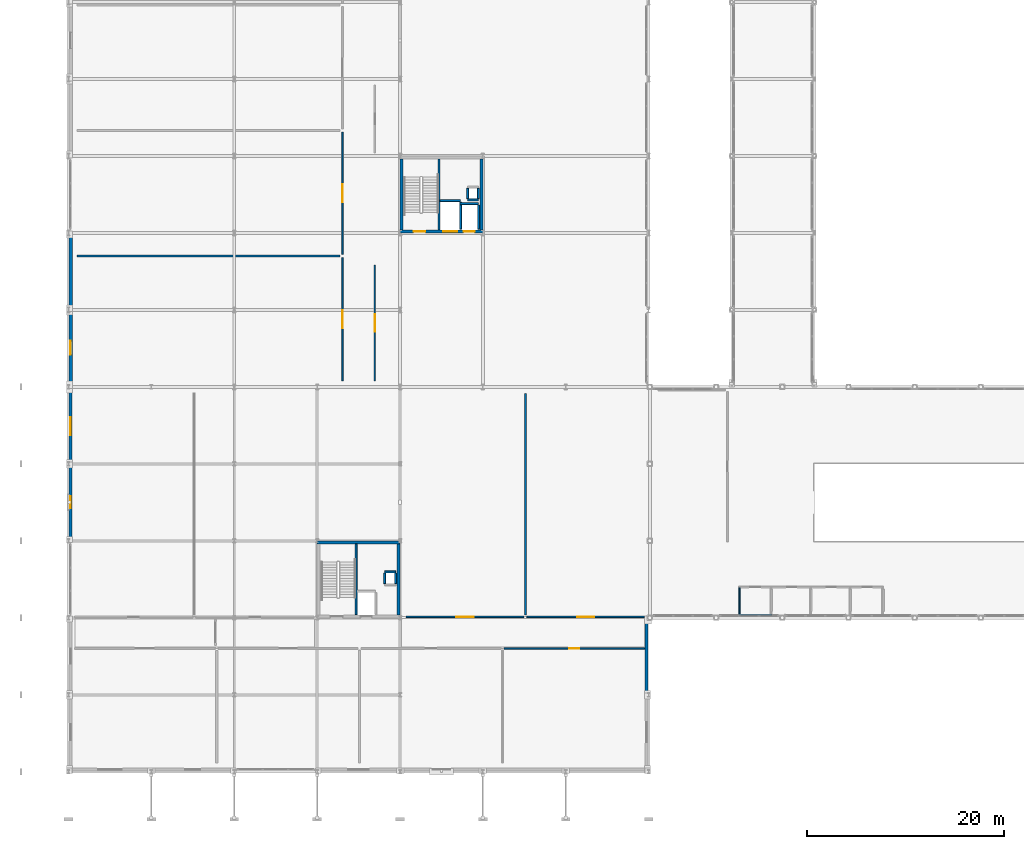
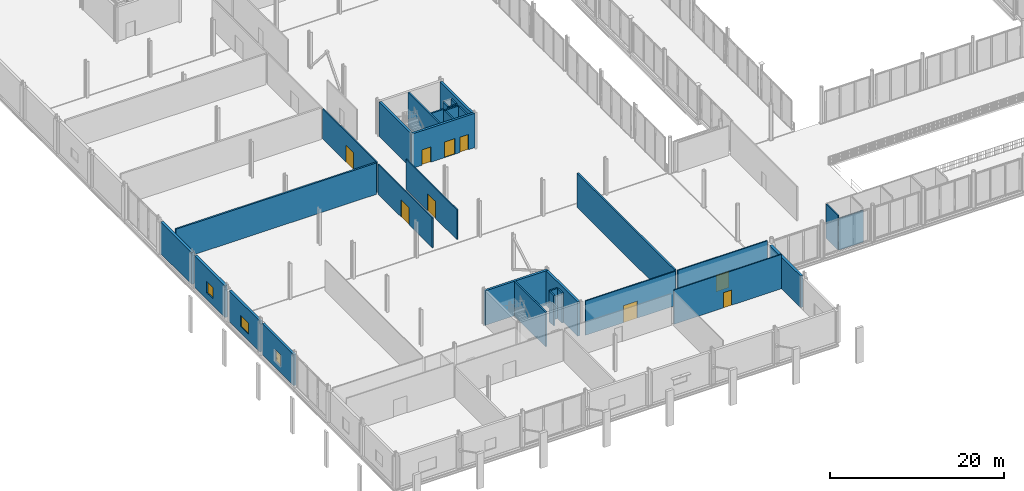
# One storey, part 76 of 105: 32 walls, 9 doors, 3 windows, 12 openings.
"""IFC4 building model written with IfcOpenShell, lengths in metres."""

from ifc_helpers import new_model, si_unit, direction, frame, frame_2d, origin, place, context, subcontext, project, spatial, rectangle, extrude, material, layer, layer_set, type_object, element, fill, save


model = new_model("IFC4")

# Units and contexts
model_context = context("Model", 3, precision=1e-05, world=origin(), true_north=direction((0.0, 1.0)))
body_context = subcontext(model_context, "Body", "Model", "MODEL_VIEW")
ifc_project = project(units=[si_unit("LENGTHUNIT", "METRE"), si_unit("AREAUNIT", "SQUARE_METRE"), si_unit("VOLUMEUNIT", "CUBIC_METRE"), si_unit("PLANEANGLEUNIT", "RADIAN"), si_unit("MASSUNIT", "GRAM", prefix="KILO")], contexts=[model_context])

# Site, building, storey
site_placement = place(None, origin())
site = spatial("IfcSite", under=ifc_project, at=site_placement, CompositionType="ELEMENT")
building_placement = place(site_placement, origin())
building = spatial("IfcBuilding", under=site, at=building_placement, Name="Nabrawat Pavilion Hospital", CompositionType="ELEMENT")
storey_placement = place(building_placement, frame((0.0, 0.0, 5.10009765625)))
storey = spatial("IfcBuildingStorey", under=building, at=storey_placement, Name="L01", CompositionType="ELEMENT", Elevation=5.10009765625)

# Wall, opening, door
ifc_material_1 = material(Name="Gypsum Fireboard on Steel Stud", Category="steel")
ifc_layer_1 = layer(ifc_material_1, 0.14990234375, Name="Gypsum Fireboard on Steel Stud")
ifc_layer_set_1 = layer_set([ifc_layer_1], Name="Gypsum Fireboard on Steel Stud")
wall_type_1 = type_object("IfcWallType", Name="Clinical Corridor Smoke-Barrier Wall 150", PredefinedType="PARTITIONING", material=ifc_layer_set_1)
wall_1_placement = place(storey_placement, frame((44.139892578125, 12.510009765625, 0.0), z_axis=(0.0, 0.0, 1.0), x_axis=(1.0, 0.0, 0.0)))
wall_1 = element("IfcWall", 1, at=wall_1_placement, inside=storey, type_object=wall_type_1, Name="L01 Surgical Scrub and Gowning Room L01-04 Front Partition", PredefinedType="PARTITIONING", context=body_context, shape_type="SweptSolid", body=[
    extrude(rectangle(XDim=14.239990234375, YDim=0.14990234375, at=frame_2d((7.1201171875, 0.0))), origin(), (0.0, 0.0, 1.0), 4.81982421875),
])
opening_1_placement = place(wall_1_placement, frame((6.594970703125, 0.0, 0.0)))
opening_1 = element("IfcOpeningElement", 2, at=opening_1_placement, cuts=wall_1, Name="Opening D-OPC-R", PredefinedType="OPENING", context=body_context, shape_type="SweptSolid", body=[
    extrude(rectangle(XDim=1.050048828125, YDim=2.14990234375, at=frame_2d((0.52490234375, 1.074951171875))), frame((0.0, 0.0849609375, 0.0), z_axis=(0.0, -1.0, 0.0), x_axis=(1.0, 0.0, 0.0)), (0.0, 0.0, 1.0), 0.169921875),
])
ifc_material_2 = material(Name="Stainless-Clad Acoustic Timber and Vision Glass", Category="wood")
door_type_1 = type_object("IfcDoorType", Name="Outpatient Clinic Consultation Door R 1050x2150", OperationType="NOTDEFINED", PredefinedType="DOOR", material=ifc_material_2)
door_1_placement = place(opening_1_placement, origin())
door_1 = element("IfcDoor", 3, at=door_1_placement, inside=storey, type_object=door_type_1, Name="Surgical Scrub and Gowning Room L01-04 Door", OperationType="SINGLE_SWING_LEFT", OverallHeight=2.14990234375, OverallWidth=1.050048828125, PredefinedType="DOOR", context=body_context, shape_type="SweptSolid", body=[
    extrude(rectangle(XDim=1.050048828125, YDim=2.14990234375, at=frame_2d((0.52490234375, 1.074951171875))), frame((0.0, 0.02490234375, 0.0), z_axis=(0.0, -1.0, 0.0), x_axis=(1.0, 0.0, 0.0)), (0.0, 0.0, 1.0), 0.050048828125),
])
fill(opening_1, door_1)

wall_2_placement = place(storey_placement, frame((34.219970703125, 15.68994140625, 0.0), z_axis=(0.0, 0.0, 1.0), x_axis=(1.0, 0.0, 0.0)))
wall_2 = element("IfcWall", 4, at=wall_2_placement, inside=storey, type_object=wall_type_1, Name="L01 Operating Theatre Emergency Trauma L01-07 Front Partition", PredefinedType="PARTITIONING", context=body_context, shape_type="SweptSolid", body=[
    extrude(rectangle(XDim=11.919921875, YDim=0.14990234375, at=frame_2d((5.9599609375, 0.0))), origin(), (0.0, 0.0, 1.0), 4.81982421875),
])
opening_2_placement = place(wall_2_placement, frame((5.06005859375, 0.0, 0.0)))
opening_2 = element("IfcOpeningElement", 5, at=opening_2_placement, cuts=wall_2, Name="Opening D-OR", PredefinedType="OPENING", context=body_context, shape_type="SweptSolid", body=[
    extrude(rectangle(XDim=1.800048828125, YDim=2.39990234375, at=frame_2d((0.89990234375, 1.199951171875))), frame((0.0, 0.0849609375, 0.0), z_axis=(0.0, -1.0, 0.0), x_axis=(1.0, 0.0, 0.0)), (0.0, 0.0, 1.0), 0.169921875),
])
door_type_2 = type_object("IfcDoorType", Name="D-OR Hermetic Operating Theatre Automatic Door 1800x2400", OperationType="DOUBLE_DOOR_SLIDING", PredefinedType="DOOR", material=ifc_material_2)
door_2_placement = place(opening_2_placement, origin())
door_2 = element("IfcDoor", 6, at=door_2_placement, inside=storey, type_object=door_type_2, Name="Operating Theatre Emergency Trauma L01-07 Door", OperationType="DOUBLE_DOOR_SLIDING", OverallHeight=2.39990234375, OverallWidth=1.800048828125, PredefinedType="DOOR", context=body_context, shape_type="SweptSolid", body=[
    extrude(rectangle(XDim=1.800048828125, YDim=2.39990234375, at=frame_2d((0.89990234375, 1.199951171875))), frame((0.0, 0.02490234375, 0.0), z_axis=(0.0, -1.0, 0.0), x_axis=(1.0, 0.0, 0.0)), (0.0, 0.0, 1.0), 0.050048828125),
])
fill(opening_2, door_2)

wall_3_placement = place(storey_placement, frame((46.4599609375, 15.68994140625, 0.0), z_axis=(0.0, 0.0, 1.0), x_axis=(1.0, 0.0, 0.0)))
wall_3 = element("IfcWall", 7, at=wall_3_placement, inside=storey, type_object=wall_type_1, Name="L01 Intensive Care Pod Surgical Trauma L01-08 Front Partition", PredefinedType="PARTITIONING", context=body_context, shape_type="SweptSolid", body=[
    extrude(rectangle(XDim=11.919921875, YDim=0.14990234375, at=frame_2d((5.9599609375, 0.0))), origin(), (0.0, 0.0, 1.0), 4.81982421875),
])
opening_3_placement = place(wall_3_placement, frame((5.110107421875, 0.0, 0.0)))
opening_3 = element("IfcOpeningElement", 8, at=opening_3_placement, cuts=wall_3, Name="Opening D-ICU", PredefinedType="OPENING", context=body_context, shape_type="SweptSolid", body=[
    extrude(rectangle(XDim=1.699951171875, YDim=2.300048828125, at=frame_2d((0.85009765625, 1.14990234375))), frame((0.0, 0.0849609375, 0.0), z_axis=(0.0, -1.0, 0.0), x_axis=(1.0, 0.0, 0.0)), (0.0, 0.0, 1.0), 0.169921875),
])
door_type_3 = type_object("IfcDoorType", Name="Intensive Care Glazed Breakout Door 1700x2300", OperationType="DOUBLE_DOOR_SLIDING", PredefinedType="DOOR", material=ifc_material_2)
door_3_placement = place(opening_3_placement, origin())
door_3 = element("IfcDoor", 9, at=door_3_placement, inside=storey, type_object=door_type_3, Name="Intensive Care Pod Surgical Trauma L01-08 Door", OperationType="DOUBLE_DOOR_SLIDING", OverallHeight=2.300048828125, OverallWidth=1.699951171875, PredefinedType="DOOR", context=body_context, shape_type="SweptSolid", body=[
    extrude(rectangle(XDim=1.699951171875, YDim=2.300048828125, at=frame_2d((0.85009765625, 1.14990234375))), frame((0.0, 0.02490234375, 0.0), z_axis=(0.0, -1.0, 0.0), x_axis=(1.0, 0.0, 0.0)), (0.0, 0.0, 1.0), 0.050048828125),
])
fill(opening_3, door_3)

wall_4_placement = place(storey_placement, frame((27.760009765625, 39.6201171875, 0.0), z_axis=(0.0, 0.0, 1.0), x_axis=(0.0, 1.0, 0.0)))
wall_4 = element("IfcWall", 10, at=wall_4_placement, inside=storey, type_object=wall_type_1, Name="L01 Operating Theatre 1 Hybrid Cardiac L01-01 Front Partition", PredefinedType="PARTITIONING", context=body_context, shape_type="SweptSolid", body=[
    extrude(rectangle(XDim=12.482421875, YDim=0.14990234375, at=frame_2d((6.2412109375, 0.0))), origin(), (0.0, 0.0, 1.0), 4.2099609375),
])
opening_4_placement = place(wall_4_placement, frame((5.34130859375, 0.0, 0.0)))
opening_4 = element("IfcOpeningElement", 11, at=opening_4_placement, cuts=wall_4, Name="Opening D-OR", PredefinedType="OPENING", context=body_context, shape_type="SweptSolid", body=[
    extrude(rectangle(XDim=1.800048828125, YDim=2.39990234375, at=frame_2d((0.89990234375, 1.199951171875))), frame((0.0, 0.0849609375, 0.0), z_axis=(0.0, -1.0, 0.0), x_axis=(1.0, 0.0, 0.0)), (0.0, 0.0, 1.0), 0.169921875),
])
door_4_placement = place(opening_4_placement, origin())
door_4 = element("IfcDoor", 12, at=door_4_placement, inside=storey, type_object=door_type_2, Name="Operating Theatre 1 Hybrid Cardiac L01-01 Door", OperationType="DOUBLE_DOOR_SLIDING", OverallHeight=2.39990234375, OverallWidth=1.800048828125, PredefinedType="DOOR", context=body_context, shape_type="SweptSolid", body=[
    extrude(rectangle(XDim=1.800048828125, YDim=2.39990234375, at=frame_2d((0.89990234375, 1.199951171875))), frame((0.0, 0.02490234375, 0.0), z_axis=(0.0, -1.0, 0.0), x_axis=(1.0, 0.0, 0.0)), (0.0, 0.0, 1.0), 0.050048828125),
])
fill(opening_4, door_4)

wall_5_placement = place(storey_placement, frame((27.760009765625, 52.422607421875, 0.0), z_axis=(0.0, 0.0, 1.0), x_axis=(0.0, 1.0, 0.0)))
wall_5 = element("IfcWall", 13, at=wall_5_placement, inside=storey, type_object=wall_type_1, Name="L01 Operating Theatre 2 Neurosurgery L01-02 Front Partition", PredefinedType="PARTITIONING", context=body_context, shape_type="SweptSolid", body=[
    extrude(rectangle(XDim=12.40234375, YDim=0.14990234375, at=frame_2d((6.201171875, 0.0))), origin(), (0.0, 0.0, 1.0), 4.27001953125),
])
opening_5_placement = place(wall_5_placement, frame((5.30126953125, 0.0, 0.0)))
opening_5 = element("IfcOpeningElement", 14, at=opening_5_placement, cuts=wall_5, Name="Opening D-OR", PredefinedType="OPENING", context=body_context, shape_type="SweptSolid", body=[
    extrude(rectangle(XDim=1.800048828125, YDim=2.39990234375, at=frame_2d((0.89990234375, 1.199951171875))), frame((0.0, 0.0849609375, 0.0), z_axis=(0.0, -1.0, 0.0), x_axis=(1.0, 0.0, 0.0)), (0.0, 0.0, 1.0), 0.169921875),
])
door_5_placement = place(opening_5_placement, origin())
door_5 = element("IfcDoor", 15, at=door_5_placement, inside=storey, type_object=door_type_2, Name="Operating Theatre 2 Neurosurgery L01-02 Door", OperationType="DOUBLE_DOOR_SLIDING", OverallHeight=2.39990234375, OverallWidth=1.800048828125, PredefinedType="DOOR", context=body_context, shape_type="SweptSolid", body=[
    extrude(rectangle(XDim=1.800048828125, YDim=2.39990234375, at=frame_2d((0.89990234375, 1.199951171875))), frame((0.0, 0.02490234375, 0.0), z_axis=(0.0, -1.0, 0.0), x_axis=(1.0, 0.0, 0.0)), (0.0, 0.0, 1.0), 0.050048828125),
])
fill(opening_5, door_5)

wall_6_placement = place(storey_placement, frame((31.0400390625, 39.6201171875, 0.0), z_axis=(0.0, 0.0, 1.0), x_axis=(0.0, 1.0, 0.0)))
wall_6 = element("IfcWall", 16, at=wall_6_placement, inside=storey, type_object=wall_type_1, Name="L01 Operating Theatre 6 Transplant L01-06 Front Partition", PredefinedType="PARTITIONING", context=body_context, shape_type="SweptSolid", body=[
    extrude(rectangle(XDim=11.72998046875, YDim=0.14990234375, at=frame_2d((5.864990234375, 0.0))), origin(), (0.0, 0.0, 1.0), 4.2099609375),
])
opening_6_placement = place(wall_6_placement, frame((4.965087890625, 0.0, 0.0)))
opening_6 = element("IfcOpeningElement", 17, at=opening_6_placement, cuts=wall_6, Name="Opening D-OR", PredefinedType="OPENING", context=body_context, shape_type="SweptSolid", body=[
    extrude(rectangle(XDim=1.800048828125, YDim=2.39990234375, at=frame_2d((0.89990234375, 1.199951171875))), frame((0.0, 0.0849609375, 0.0), z_axis=(0.0, -1.0, 0.0), x_axis=(1.0, 0.0, 0.0)), (0.0, 0.0, 1.0), 0.169921875),
])
door_6_placement = place(opening_6_placement, origin())
door_6 = element("IfcDoor", 18, at=door_6_placement, inside=storey, type_object=door_type_2, Name="Operating Theatre 6 Transplant L01-06 Door", OperationType="DOUBLE_DOOR_SLIDING", OverallHeight=2.39990234375, OverallWidth=1.800048828125, PredefinedType="DOOR", context=body_context, shape_type="SweptSolid", body=[
    extrude(rectangle(XDim=1.800048828125, YDim=2.39990234375, at=frame_2d((0.89990234375, 1.199951171875))), frame((0.0, 0.02490234375, 0.0), z_axis=(0.0, -1.0, 0.0), x_axis=(1.0, 0.0, 0.0)), (0.0, 0.0, 1.0), 0.050048828125),
])
fill(opening_6, door_6)

# Wall, opening, window
ifc_material_3 = material(Name="Precast concrete C40/50", Category="concrete")
ifc_layer_2 = layer(ifc_material_3, 0.320068359375, Name="Precast concrete C40/50")
ifc_layer_set_2 = layer_set([ifc_layer_2], Name="Precast concrete C40/50")
wall_type_2 = type_object("IfcWallType", Name="Deep-Reveal Precast Facade Wall 320", PredefinedType="SOLIDWALL", material=ifc_layer_set_2)
wall_7_placement = place(storey_placement, frame((0.219970703125, 23.64990234375, 0.0), z_axis=(0.0, 0.0, 1.0), x_axis=(0.0, 1.0, 0.0)))
wall_7 = element("IfcWall", 19, at=wall_7_placement, inside=storey, type_object=wall_type_2, Name="L01 Deep-Reveal Precast Facade Wall 320 172", PredefinedType="SOLIDWALL", context=body_context, shape_type="SweptSolid", body=[
    extrude(rectangle(XDim=7.300048828125, YDim=0.320068359375, at=frame_2d((3.64990234375, 0.0))), origin(), (0.0, 0.0, 1.0), 4.329833984375),
])
opening_7_placement = place(wall_7_placement, frame((3.050048828125, 0.0, 0.89990234375)))
opening_7 = element("IfcOpeningElement", 20, at=opening_7_placement, cuts=wall_7, Name="Opening WN-01", PredefinedType="OPENING", context=body_context, shape_type="SweptSolid", body=[
    extrude(rectangle(XDim=1.199951171875, YDim=1.60009765625, at=frame_2d((0.60009765625, 0.800048828125))), frame((0.0, 0.169921875, 0.0), z_axis=(0.0, -1.0, 0.0), x_axis=(1.0, 0.0, 0.0)), (0.0, 0.0, 1.0), 0.340087890625),
])
ifc_material_4 = material(Name="Thermally Broken Aluminium and Solar Glass", Category="aluminium")
window_type_1 = type_object("IfcWindowType", Name="Deep-Reveal Ward Punched Window 1200x1600", PartitioningType="SINGLE_PANEL", PredefinedType="WINDOW", material=ifc_material_4)
window_1_placement = place(opening_7_placement, origin())
window_1 = element("IfcWindow", 21, at=window_1_placement, inside=storey, type_object=window_type_1, Name="L01 Deep-Reveal Ward Punched Window 1200x1600 065", OverallHeight=1.60009765625, OverallWidth=1.199951171875, PartitioningType="SINGLE_PANEL", PredefinedType="WINDOW", context=body_context, shape_type="SweptSolid", body=[
    extrude(rectangle(XDim=1.199951171875, YDim=1.60009765625, at=frame_2d((0.60009765625, 0.800048828125))), frame((0.0, 0.030029296875, 0.0), z_axis=(0.0, -1.0, 0.0), x_axis=(1.0, 0.0, 0.0)), (0.0, 0.0, 1.0), 0.06005859375),
])
fill(opening_7, window_1)

wall_8_placement = place(storey_placement, frame((0.219970703125, 31.449951171875, 0.0), z_axis=(0.0, 0.0, 1.0), x_axis=(0.0, 1.0, 0.0)))
wall_8 = element("IfcWall", 22, at=wall_8_placement, inside=storey, type_object=wall_type_2, Name="L01 Deep-Reveal Precast Facade Wall 320 173", PredefinedType="SOLIDWALL", context=body_context, shape_type="SweptSolid", body=[
    extrude(rectangle(XDim=7.110107421875, YDim=0.320068359375, at=frame_2d((3.55517578125, 0.0))), origin(), (0.0, 0.0, 1.0), 4.329833984375),
])
opening_8_placement = place(wall_8_placement, frame((2.655029296875, 0.0, 0.89990234375)))
opening_8 = element("IfcOpeningElement", 23, at=opening_8_placement, cuts=wall_8, Name="Opening WN-02", PredefinedType="OPENING", context=body_context, shape_type="SweptSolid", body=[
    extrude(rectangle(XDim=1.800048828125, YDim=1.60009765625, at=frame_2d((0.89990234375, 0.800048828125))), frame((0.0, 0.169921875, 0.0), z_axis=(0.0, -1.0, 0.0), x_axis=(1.0, 0.0, 0.0)), (0.0, 0.0, 1.0), 0.340087890625),
])
window_type_2 = type_object("IfcWindowType", Name="Deep-Reveal Ward Twin Window 1800x1600", PartitioningType="SINGLE_PANEL", PredefinedType="WINDOW", material=ifc_material_4)
window_2_placement = place(opening_8_placement, origin())
window_2 = element("IfcWindow", 24, at=window_2_placement, inside=storey, type_object=window_type_2, Name="L01 Deep-Reveal Ward Twin Window 1800x1600 066", OverallHeight=1.60009765625, OverallWidth=1.800048828125, PartitioningType="SINGLE_PANEL", PredefinedType="WINDOW", context=body_context, shape_type="SweptSolid", body=[
    extrude(rectangle(XDim=1.800048828125, YDim=1.60009765625, at=frame_2d((0.89990234375, 0.800048828125))), frame((0.0, 0.030029296875, 0.0), z_axis=(0.0, -1.0, 0.0), x_axis=(1.0, 0.0, 0.0)), (0.0, 0.0, 1.0), 0.06005859375),
])
fill(opening_8, window_2)

# Walls
wall_9_placement = place(storey_placement, frame((58.580078125, 8.050048828125, 0.0), z_axis=(0.0, 0.0, 1.0), x_axis=(0.0, 1.0, 0.0)))
element("IfcWall", 25, at=wall_9_placement, inside=storey, type_object=wall_type_2, Name="L01 Deep-Reveal Precast Facade Wall 320 196", PredefinedType="SOLIDWALL", context=body_context, shape_type="SweptSolid", body=[
    extrude(rectangle(XDim=7.10986328125, YDim=0.320068359375, at=frame_2d((3.554931640625, 0.0))), origin(), (0.0, 0.0, 1.0), 4.43994140625),
])
ifc_material_5 = material(Name="Cement Board on Steel Stud", Category="steel")
ifc_layer_3 = layer(ifc_material_5, 0.1298828125, Name="Cement Board on Steel Stud")
ifc_layer_set_3 = layer_set([ifc_layer_3], Name="Cement Board on Steel Stud")
wall_type_3 = type_object("IfcWallType", Name="En-Suite Moisture-Resistant Partition 130", PredefinedType="PARTITIONING", material=ifc_layer_set_3)
wall_10_placement = place(storey_placement, frame((67.93505859375, 15.89990234375, 0.0), z_axis=(0.0, 0.0, 1.0), x_axis=(1.0, 0.0, 0.0)))
element("IfcWall", 26, at=wall_10_placement, inside=storey, type_object=wall_type_3, Name="L01 L01 Accessible WC South Partition", PredefinedType="PARTITIONING", context=body_context, shape_type="SweptSolid", body=[
    extrude(rectangle(XDim=3.329833984375, YDim=0.1298828125, at=frame_2d((1.6650390625, 0.0))), origin(), (0.0, 0.0, 1.0), 4.449951171875),
])
wall_11_placement = place(storey_placement, frame((68.0, 15.965087890625, 0.0), z_axis=(0.0, 0.0, 1.0), x_axis=(0.0, 1.0, 0.0)))
element("IfcWall", 27, at=wall_11_placement, inside=storey, type_object=wall_type_3, Name="L01 L01 Accessible WC West Partition", PredefinedType="PARTITIONING", context=body_context, shape_type="SweptSolid", body=[
    extrude(rectangle(XDim=2.669921875, YDim=0.1298828125, at=frame_2d((1.3349609375, 0.0))), origin(), (0.0, 0.0, 1.0), 4.81982421875),
])
ifc_material_6 = material(Name="Concrete C35/45", Category="concrete")
ifc_layer_4 = layer(ifc_material_6, 0.199951171875, Name="Concrete C35/45")
ifc_layer_set_4 = layer_set([ifc_layer_4], Name="Concrete C35/45")
wall_type_4 = type_object("IfcWallType", Name="Lift and Riser Fire Shaft Wall 200", PredefinedType="PARTITIONING", material=ifc_layer_set_4)
wall_12_placement = place(storey_placement, frame((29.14990234375, 15.919921875, 0.0), z_axis=(0.0, 0.0, 1.0), x_axis=(0.0, 1.0, 0.0)))
element("IfcWall", 28, at=wall_12_placement, inside=storey, type_object=wall_type_4, Name="L01 CORE-1 Stair-Lift Dividing Shear Wall", PredefinedType="SHEAR", context=body_context, shape_type="SweptSolid", body=[
    extrude(rectangle(XDim=7.16015625, YDim=0.199951171875, at=frame_2d((3.580078125, 0.0))), origin(), (0.0, 0.0, 1.0), 4.849853515625),
])
wall_13_placement = place(storey_placement, frame((32.050048828125, 20.25, 0.0), z_axis=(0.0, 0.0, 1.0), x_axis=(1.0, 0.0, 0.0)))
element("IfcWall", 29, at=wall_13_placement, inside=storey, type_object=wall_type_4, Name="L01 CORE-1 MEP Riser Shaft Wall N", PredefinedType="PARTITIONING", context=body_context, shape_type="SweptSolid", body=[
    extrude(rectangle(XDim=1.099853515625, YDim=0.199951171875, at=frame_2d((0.5498046875, 0.0))), origin(), (0.0, 0.0, 1.0), 4.22998046875),
])
for number, where, z_axis, x_axis, name in (
    (30, (32.050048828125, 19.070068359375, 0.0), (0.0, 0.0, 1.0), (0.0, 1.0, 0.0), "L01 CORE-1 MEP Riser Shaft Wall W"),
    (31, (33.14990234375, 19.070068359375, 0.0), (0.0, 0.0, 1.0), (0.0, 1.0, 0.0), "L01 CORE-1 MEP Riser Shaft Wall E"),
):
    element("IfcWall", number, at=place(storey_placement, frame(where, z_axis=z_axis, x_axis=x_axis)), inside=storey, type_object=wall_type_4, Name=name, PredefinedType="PARTITIONING", context=body_context, shape_type="SweptSolid", body=[
        extrude(rectangle(XDim=1.059814453125, YDim=0.199951171875, at=frame_2d((0.52978515625, 0.0))), origin(), (0.0, 0.0, 1.0), 4.22998046875),
    ])
wall_14_placement = place(storey_placement, frame((37.550048828125, 54.919921875, 0.0), z_axis=(0.0, 0.0, 1.0), x_axis=(0.0, 1.0, 0.0)))
element("IfcWall", 32, at=wall_14_placement, inside=storey, type_object=wall_type_4, Name="L01 CORE-2 Stair-Lift Dividing Shear Wall", PredefinedType="SHEAR", context=body_context, shape_type="SweptSolid", body=[
    extrude(rectangle(XDim=7.16015625, YDim=0.199951171875, at=frame_2d((3.580078125, 0.0))), origin(), (0.0, 0.0, 1.0), 4.829833984375),
])
wall_15_placement = place(storey_placement, frame((40.449951171875, 57.949951171875, 0.0), z_axis=(0.0, 0.0, 1.0), x_axis=(1.0, 0.0, 0.0)))
element("IfcWall", 33, at=wall_15_placement, inside=storey, type_object=wall_type_4, Name="L01 CORE-2 MEP Riser Shaft Wall S", PredefinedType="PARTITIONING", context=body_context, shape_type="SweptSolid", body=[
    extrude(rectangle(XDim=1.10009765625, YDim=0.199951171875, at=frame_2d((0.550048828125, 0.0))), origin(), (0.0, 0.0, 1.0), 4.27001953125),
])
for number, where, z_axis, x_axis, name in (
    (34, (40.449951171875, 58.070068359375, 0.0), (0.0, 0.0, 1.0), (0.0, 1.0, 0.0), "L01 CORE-2 MEP Riser Shaft Wall W"),
    (35, (41.550048828125, 58.070068359375, 0.0), (0.0, 0.0, 1.0), (0.0, 1.0, 0.0), "L01 CORE-2 MEP Riser Shaft Wall E"),
):
    element("IfcWall", number, at=place(storey_placement, frame(where, z_axis=z_axis, x_axis=x_axis)), inside=storey, type_object=wall_type_4, Name=name, PredefinedType="PARTITIONING", context=body_context, shape_type="SweptSolid", body=[
        extrude(rectangle(XDim=1.059814453125, YDim=0.199951171875, at=frame_2d((0.52978515625, 0.0))), origin(), (0.0, 0.0, 1.0), 4.27001953125),
    ])
wall_16_placement = place(storey_placement, frame((39.739990234375, 54.97998046875, 0.0), z_axis=(0.0, 0.0, 1.0), x_axis=(0.0, 1.0, 0.0)))
element("IfcWall", 36, at=wall_16_placement, inside=storey, type_object=wall_type_4, Name="L01 Lift LB-01 Shaft East Wall", PredefinedType="PARTITIONING", context=body_context, shape_type="SweptSolid", body=[
    extrude(rectangle(XDim=2.739990234375, YDim=0.199951171875, at=frame_2d((1.3701171875, 0.0))), origin(), (0.0, 0.0, 1.0), 4.27001953125),
])
wall_17_placement = place(storey_placement, frame((37.64990234375, 57.8798828125, 0.0), z_axis=(0.0, 0.0, 1.0), x_axis=(1.0, 0.0, 0.0)))
element("IfcWall", 37, at=wall_17_placement, inside=storey, type_object=wall_type_4, Name="L01 Lift LB-01 Shaft Back Wall", PredefinedType="PARTITIONING", context=body_context, shape_type="SweptSolid", body=[
    extrude(rectangle(XDim=2.06005859375, YDim=0.199951171875, at=frame_2d((1.030029296875, 0.0))), origin(), (0.0, 0.0, 1.0), 4.27001953125),
])
wall_18_placement = place(storey_placement, frame((41.56005859375, 54.97998046875, 0.0), z_axis=(0.0, 0.0, 1.0), x_axis=(0.0, 1.0, 0.0)))
element("IfcWall", 38, at=wall_18_placement, inside=storey, type_object=wall_type_4, Name="L01 Lift LS-01 Shaft East Wall", PredefinedType="PARTITIONING", context=body_context, shape_type="SweptSolid", body=[
    extrude(rectangle(XDim=2.43994140625, YDim=0.199951171875, at=frame_2d((1.219970703125, 0.0))), origin(), (0.0, 0.0, 1.0), 4.27001953125),
])
wall_19_placement = place(storey_placement, frame((39.669921875, 57.580078125, 0.0), z_axis=(0.0, 0.0, 1.0), x_axis=(1.0, 0.0, 0.0)))
element("IfcWall", 39, at=wall_19_placement, inside=storey, type_object=wall_type_4, Name="L01 Lift LS-01 Shaft Back Wall", PredefinedType="PARTITIONING", context=body_context, shape_type="SweptSolid", body=[
    extrude(rectangle(XDim=1.860107421875, YDim=0.199951171875, at=frame_2d((0.93017578125, 0.0))), origin(), (0.0, 0.0, 1.0), 4.27001953125),
])
ifc_material_7 = material(Name="Concrete C40/50", Category="concrete")
ifc_layer_5 = layer(ifc_material_7, 0.300048828125, Name="Concrete C40/50")
ifc_layer_set_5 = layer_set([ifc_layer_5], Name="Concrete C40/50")
wall_type_5 = type_object("IfcWallType", Name="Reinforced Concrete Core Shear Wall 300", PredefinedType="SHEAR", material=ifc_layer_set_5)
wall_20_placement = place(storey_placement, frame((25.199951171875, 23.25, 0.0), z_axis=(0.0, 0.0, 1.0), x_axis=(1.0, 0.0, 0.0)))
element("IfcWall", 40, at=wall_20_placement, inside=storey, type_object=wall_type_5, Name="L01 CORE-1 North Core Shear Wall", PredefinedType="SHEAR", context=body_context, shape_type="SweptSolid", body=[
    extrude(rectangle(XDim=8.400146484375, YDim=0.300048828125, at=frame_2d((4.2001953125, 0.0))), origin(), (0.0, 0.0, 1.0), 4.849853515625),
])
wall_21_placement = place(storey_placement, frame((33.449951171875, 15.89990234375, 0.0), z_axis=(0.0, 0.0, 1.0), x_axis=(0.0, 1.0, 0.0)))
element("IfcWall", 41, at=wall_21_placement, inside=storey, type_object=wall_type_5, Name="L01 CORE-1 East Core Shear Wall", PredefinedType="SHEAR", context=body_context, shape_type="SweptSolid", body=[
    extrude(rectangle(XDim=7.2001953125, YDim=0.300048828125, at=frame_2d((3.60009765625, 0.0))), origin(), (0.0, 0.0, 1.0), 4.849853515625),
])

# Wall, openings, doors
wall_22_placement = place(storey_placement, frame((33.60009765625, 54.75, 0.0), z_axis=(0.0, 0.0, 1.0), x_axis=(1.0, 0.0, 0.0)))
wall_22 = element("IfcWall", 42, at=wall_22_placement, inside=storey, type_object=wall_type_5, Name="L01 CORE-2 South Core Shear Wall", PredefinedType="SHEAR", context=body_context, shape_type="SweptSolid", body=[
    extrude(rectangle(XDim=8.39990234375, YDim=0.300048828125, at=frame_2d((4.199951171875, 0.0))), origin(), (0.0, 0.0, 1.0), 4.829833984375),
])
opening_9_placement = place(wall_22_placement, frame((1.3798828125, 0.0, 0.0)))
opening_9 = element("IfcOpeningElement", 43, at=opening_9_placement, cuts=wall_22, Name="Opening D-STAIR", PredefinedType="OPENING", context=body_context, shape_type="SweptSolid", body=[
    extrude(rectangle(XDim=1.199951171875, YDim=2.14990234375, at=frame_2d((0.60009765625, 1.074951171875))), frame((0.0, 0.16015625, 0.0), z_axis=(0.0, -1.0, 0.0), x_axis=(1.0, 0.0, 0.0)), (0.0, 0.0, 1.0), 0.320068359375),
])
opening_10_placement = place(wall_22_placement, frame((4.3798828125, 0.0, 0.0)))
opening_10 = element("IfcOpeningElement", 44, at=opening_10_placement, cuts=wall_22, Name="Opening LD-LB-01", PredefinedType="OPENING", context=body_context, shape_type="SweptSolid", body=[
    extrude(rectangle(XDim=1.39990234375, YDim=2.199951171875, at=frame_2d((0.699951171875, 1.10009765625))), frame((0.0, 0.16015625, 0.0), z_axis=(0.0, -1.0, 0.0), x_axis=(1.0, 0.0, 0.0)), (0.0, 0.0, 1.0), 0.320068359375),
])
opening_11_placement = place(wall_22_placement, frame((6.449951171875, 0.0, 0.0)))
opening_11 = element("IfcOpeningElement", 45, at=opening_11_placement, cuts=wall_22, Name="Opening LD-LS-01", PredefinedType="OPENING", context=body_context, shape_type="SweptSolid", body=[
    extrude(rectangle(XDim=1.10009765625, YDim=2.14990234375, at=frame_2d((0.550048828125, 1.074951171875))), frame((0.0, 0.16015625, 0.0), z_axis=(0.0, -1.0, 0.0), x_axis=(1.0, 0.0, 0.0)), (0.0, 0.0, 1.0), 0.320068359375),
])
door_type_4 = type_object("IfcDoorType", Name="D-STAIR Exit Stair Fire Door 1200x2150", OperationType="NOTDEFINED", PredefinedType="DOOR", material=ifc_material_2)
door_7_placement = place(opening_9_placement, origin())
door_7 = element("IfcDoor", 46, at=door_7_placement, inside=storey, type_object=door_type_4, Name="L01 ST-02 Fire Exit Stair Door", OperationType="SINGLE_SWING_RIGHT", OverallHeight=2.14990234375, OverallWidth=1.199951171875, PredefinedType="DOOR", context=body_context, shape_type="SweptSolid", body=[
    extrude(rectangle(XDim=1.199951171875, YDim=2.14990234375, at=frame_2d((0.60009765625, 1.074951171875))), frame((0.0, 0.02490234375, 0.0), z_axis=(0.0, -1.0, 0.0), x_axis=(1.0, 0.0, 0.0)), (0.0, 0.0, 1.0), 0.050048828125),
])
fill(opening_9, door_7)
door_type_5 = type_object("IfcDoorType", Name="Hospital Bed Lift Sliding Landing Door 1400x2200", OperationType="DOUBLE_DOOR_SLIDING", PredefinedType="DOOR", material=ifc_material_2)
door_8_placement = place(opening_10_placement, origin())
door_8 = element("IfcDoor", 47, at=door_8_placement, inside=storey, type_object=door_type_5, Name="L01 Lift LB-01 Sliding Landing Door", OperationType="DOUBLE_DOOR_SLIDING", OverallHeight=2.199951171875, OverallWidth=1.39990234375, PredefinedType="DOOR", context=body_context, shape_type="SweptSolid", body=[
    extrude(rectangle(XDim=1.39990234375, YDim=2.199951171875, at=frame_2d((0.699951171875, 1.10009765625))), frame((0.0, 0.02490234375, 0.0), z_axis=(0.0, -1.0, 0.0), x_axis=(1.0, 0.0, 0.0)), (0.0, 0.0, 1.0), 0.050048828125),
])
fill(opening_10, door_8)
door_type_6 = type_object("IfcDoorType", Name="Passenger Lift Sliding Landing Door 1100x2150", OperationType="DOUBLE_DOOR_SLIDING", PredefinedType="DOOR", material=ifc_material_2)
door_9_placement = place(opening_11_placement, origin())
door_9 = element("IfcDoor", 48, at=door_9_placement, inside=storey, type_object=door_type_6, Name="L01 Lift LS-01 Sliding Landing Door", OperationType="DOUBLE_DOOR_SLIDING", OverallHeight=2.14990234375, OverallWidth=1.10009765625, PredefinedType="DOOR", context=body_context, shape_type="SweptSolid", body=[
    extrude(rectangle(XDim=1.10009765625, YDim=2.14990234375, at=frame_2d((0.550048828125, 1.074951171875))), frame((0.0, 0.02490234375, 0.0), z_axis=(0.0, -1.0, 0.0), x_axis=(1.0, 0.0, 0.0)), (0.0, 0.0, 1.0), 0.050048828125),
])
fill(opening_11, door_9)

# Walls
for number, where, z_axis, x_axis, name in (
    (49, (33.75, 54.89990234375, 0.0), (0.0, 0.0, 1.0), (0.0, 1.0, 0.0), "L01 CORE-2 West Core Shear Wall"),
    (50, (41.85009765625, 54.89990234375, 0.0), (0.0, 0.0, 1.0), (0.0, 1.0, 0.0), "L01 CORE-2 East Core Shear Wall"),
):
    element("IfcWall", number, at=place(storey_placement, frame(where, z_axis=z_axis, x_axis=x_axis)), inside=storey, type_object=wall_type_5, Name=name, PredefinedType="SHEAR", context=body_context, shape_type="SweptSolid", body=[
        extrude(rectangle(XDim=7.2001953125, YDim=0.300048828125, at=frame_2d((3.60009765625, 0.0))), origin(), (0.0, 0.0, 1.0), 4.829833984375),
    ])

# Wall, opening, window
ifc_layer_6 = layer(ifc_material_3, 0.360107421875, Name="Precast concrete C40/50")
ifc_layer_set_6 = layer_set([ifc_layer_6], Name="Precast concrete C40/50")
wall_type_6 = type_object("IfcWallType", Name="Surgical Acoustic Precast Facade Wall 360", PredefinedType="SOLIDWALL", material=ifc_layer_set_6)
wall_23_placement = place(storey_placement, frame((0.219970703125, 39.43994140625, 0.0), z_axis=(0.0, 0.0, 1.0), x_axis=(0.0, 1.0, 0.0)))
wall_23 = element("IfcWall", 51, at=wall_23_placement, inside=storey, type_object=wall_type_6, Name="L01 Surgical Acoustic Precast Facade Wall 360 180", PredefinedType="SOLIDWALL", context=body_context, shape_type="SweptSolid", body=[
    extrude(rectangle(XDim=7.03515625, YDim=0.360107421875, at=frame_2d((3.517578125, 0.0))), origin(), (0.0, 0.0, 1.0), 4.43994140625),
])
opening_12_placement = place(wall_23_placement, frame((2.8173828125, 0.0, 0.949951171875)))
opening_12 = element("IfcOpeningElement", 52, at=opening_12_placement, cuts=wall_23, Name="Opening WN-07", PredefinedType="OPENING", context=body_context, shape_type="SweptSolid", body=[
    extrude(rectangle(XDim=1.39990234375, YDim=1.550048828125, at=frame_2d((0.699951171875, 0.77490234375))), frame((0.0, 0.18994140625, 0.0), z_axis=(0.0, -1.0, 0.0), x_axis=(1.0, 0.0, 0.0)), (0.0, 0.0, 1.0), 0.380126953125),
])
window_type_3 = type_object("IfcWindowType", Name="Emergency Staff Daylight Window 1400x1550", PartitioningType="SINGLE_PANEL", PredefinedType="WINDOW", material=ifc_material_4)
window_3_placement = place(opening_12_placement, origin())
window_3 = element("IfcWindow", 53, at=window_3_placement, inside=storey, type_object=window_type_3, Name="L01 Emergency Staff Daylight Window 1400x1550 071", OverallHeight=1.550048828125, OverallWidth=1.39990234375, PartitioningType="SINGLE_PANEL", PredefinedType="WINDOW", context=body_context, shape_type="SweptSolid", body=[
    extrude(rectangle(XDim=1.39990234375, YDim=1.550048828125, at=frame_2d((0.699951171875, 0.77490234375))), frame((0.0, 0.030029296875, 0.0), z_axis=(0.0, -1.0, 0.0), x_axis=(1.0, 0.0, 0.0)), (0.0, 0.0, 1.0), 0.06005859375),
])
fill(opening_12, window_3)

# Walls
wall_24_placement = place(storey_placement, frame((0.219970703125, 47.125, 0.0), z_axis=(0.0, 0.0, 1.0), x_axis=(0.0, 1.0, 0.0)))
element("IfcWall", 54, at=wall_24_placement, inside=storey, type_object=wall_type_6, Name="L01 Surgical Acoustic Precast Facade Wall 360 181", PredefinedType="SOLIDWALL", context=body_context, shape_type="SweptSolid", body=[
    extrude(rectangle(XDim=7.14990234375, YDim=0.360107421875, at=frame_2d((3.574951171875, 0.0))), origin(), (0.0, 0.0, 1.0), 4.4599609375),
])
ifc_material_8 = material(Name="Hygienic Gypsum and Lead Core", Category="gypsum")
ifc_layer_7 = layer(ifc_material_8, 0.219970703125, Name="Hygienic Gypsum and Lead Core")
ifc_layer_set_7 = layer_set([ifc_layer_7], Name="Hygienic Gypsum and Lead Core")
wall_type_7 = type_object("IfcWallType", Name="Surgical Hygienic Lead-Shielded Wall 220", PredefinedType="PARTITIONING", material=ifc_layer_set_7)
wall_25_placement = place(storey_placement, frame((46.300048828125, 15.909912109375, 0.0), z_axis=(0.0, 0.0, 1.0), x_axis=(0.0, 1.0, 0.0)))
element("IfcWall", 55, at=wall_25_placement, inside=storey, type_object=wall_type_7, Name="L01 Operating Theatre Emergency Trauma L01-07 Dividing Partition", PredefinedType="PARTITIONING", context=body_context, shape_type="SweptSolid", body=[
    extrude(rectangle(XDim=22.400146484375, YDim=0.219970703125, at=frame_2d((11.2001953125, 0.0))), origin(), (0.0, 0.0, 1.0), 4.81982421875),
])
wall_26_placement = place(storey_placement, frame((0.889892578125, 52.262451171875, 0.0), z_axis=(0.0, 0.0, 1.0), x_axis=(1.0, 0.0, 0.0)))
element("IfcWall", 56, at=wall_26_placement, inside=storey, type_object=wall_type_7, Name="L01 Operating Theatre 1 Hybrid Cardiac L01-01 Dividing Partition", PredefinedType="PARTITIONING", context=body_context, shape_type="SweptSolid", body=[
    extrude(rectangle(XDim=26.650146484375, YDim=0.219970703125, at=frame_2d((13.3251953125, 0.0))), origin(), (0.0, 0.0, 1.0), 4.419921875),
])

save(model, "model.ifc")
